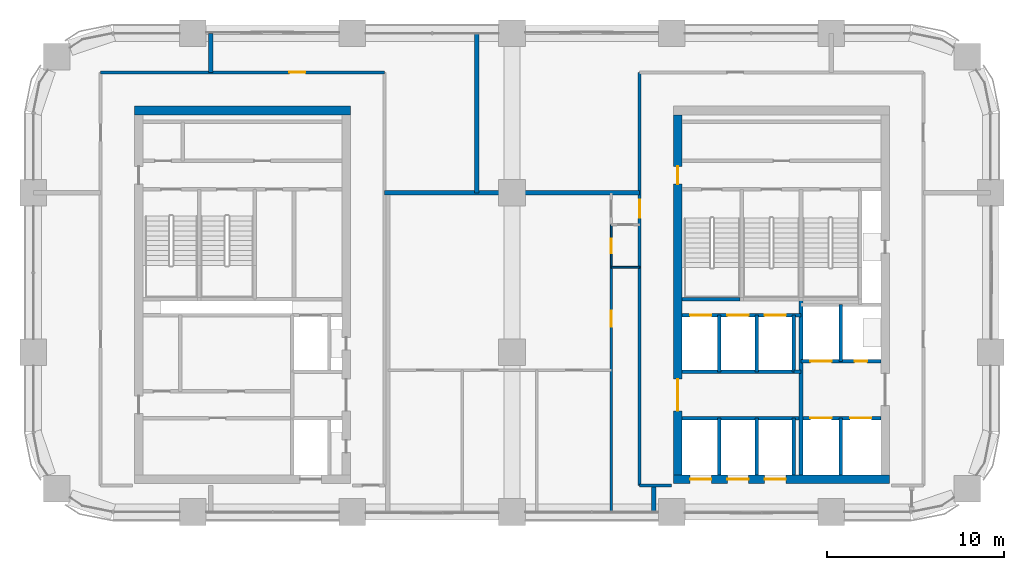
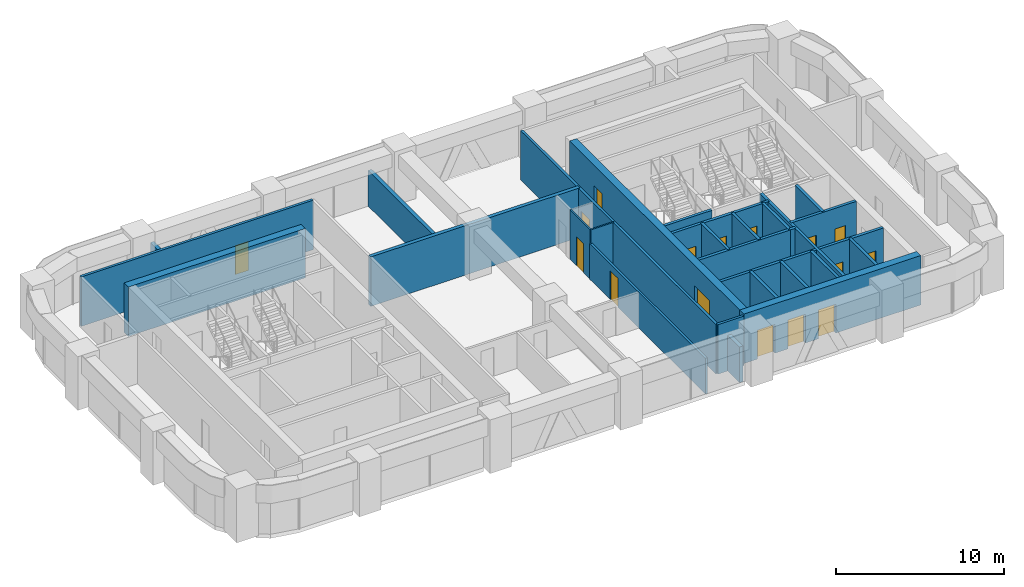
# One storey, part 10 of 19: 28 walls, 16 doors, 16 openings.
"""IFC4 building model written with IfcOpenShell, lengths in metres."""

from ifc_helpers import new_model, si_unit, direction, frame, frame_2d, origin, place, context, subcontext, project, spatial, rectangle, extrude, material, layer, layer_set, type_object, element, fill, save


model = new_model("IFC4")

# Units and contexts
model_context = context("Model", 3, precision=1e-05, world=origin(), true_north=direction((0.0, 1.0)))
body_context = subcontext(model_context, "Body", "Model", "MODEL_VIEW")
ifc_project = project(units=[si_unit("LENGTHUNIT", "METRE"), si_unit("AREAUNIT", "SQUARE_METRE"), si_unit("VOLUMEUNIT", "CUBIC_METRE"), si_unit("PLANEANGLEUNIT", "RADIAN"), si_unit("MASSUNIT", "GRAM", prefix="KILO")], contexts=[model_context])

# Site, building, storey
site_placement = place(None, origin())
site = spatial("IfcSite", under=ifc_project, at=site_placement, CompositionType="ELEMENT")
building_placement = place(site_placement, origin())
building = spatial("IfcBuilding", under=site, at=building_placement, Name="Tessera Arch", CompositionType="ELEMENT")
storey_placement = place(building_placement, frame((0.0, 0.0, 170.0)))
storey = spatial("IfcBuildingStorey", under=building, at=storey_placement, Name="L40", CompositionType="ELEMENT", Elevation=170.0)

# Wall
ifc_material_1 = material(Name="Gypsum board on steel stud", Category="steel")
ifc_layer_1 = layer(ifc_material_1, 0.125)
ifc_layer_set_1 = layer_set([ifc_layer_1], Name="Core partition 125 EI 60")
wall_type_1 = type_object("IfcWallType", Name="Core partition 125 EI 60", PredefinedType="PARTITIONING", material=ifc_layer_set_1)
wall_1_placement = place(storey_placement, frame((42.89990234375, 34.89990234375, 0.0), z_axis=(0.0, 0.0, 1.0), x_axis=(1.0, 0.0, 0.0)))
element("IfcWall", 1, at=wall_1_placement, inside=storey, type_object=wall_type_1, Name="L40 C1 partition wall 18", PredefinedType="PARTITIONING", context=body_context, shape_type="SweptSolid", body=[
    extrude(rectangle(XDim=0.400146484375, YDim=0.199951171875, at=frame_2d((0.2001953125, 0.0))), origin(), (0.0, 0.0, 1.0), 3.60009765625),
])

# Wall, openings, doors
ifc_material_2 = material(Name="Concrete C60/75", Category="concrete")
ifc_layer_2 = layer(ifc_material_2, 0.5)
ifc_layer_set_2 = layer_set([ifc_layer_2], Name="Core shell wall 500 C60-75")
wall_type_2 = type_object("IfcWallType", Name="Core shell wall 500 C60-75", PredefinedType="SHEAR", material=ifc_layer_set_2)
wall_2_placement = place(storey_placement, frame((36.10009765625, 28.85009765625, 0.0), z_axis=(0.0, 0.0, 1.0), x_axis=(1.0, 0.0, 0.0)))
wall_2 = element("IfcWall", 2, at=wall_2_placement, inside=storey, type_object=wall_type_2, Name="L40 C1 core wall S", PredefinedType="SHEAR", context=body_context, shape_type="SweptSolid", body=[
    extrude(rectangle(XDim=12.199951171875, YDim=0.5, at=frame_2d((6.10009765625, 0.0))), origin(), (0.0, 0.0, 1.0), 3.60009765625),
])
opening_1_placement = place(wall_2_placement, frame((0.949951171875, 0.0, 0.0)))
opening_1 = element("IfcOpeningElement", 3, at=opening_1_placement, cuts=wall_2, Name="Opening L40-C01", PredefinedType="OPENING", context=body_context, shape_type="SweptSolid", body=[
    extrude(rectangle(XDim=1.199951171875, YDim=2.10009765625, at=frame_2d((0.60009765625, 1.050048828125))), frame((0.0, 0.260009765625, 0.0), z_axis=(0.0, -1.0, 0.0), x_axis=(1.0, 0.0, 0.0)), (0.0, 0.0, 1.0), 0.52001953125),
])
opening_2_placement = place(wall_2_placement, frame((3.050048828125, 0.0, 0.0)))
opening_2 = element("IfcOpeningElement", 4, at=opening_2_placement, cuts=wall_2, Name="Opening L40-C03", PredefinedType="OPENING", context=body_context, shape_type="SweptSolid", body=[
    extrude(rectangle(XDim=1.199951171875, YDim=2.10009765625, at=frame_2d((0.60009765625, 1.050048828125))), frame((0.0, 0.260009765625, 0.0), z_axis=(0.0, -1.0, 0.0), x_axis=(1.0, 0.0, 0.0)), (0.0, 0.0, 1.0), 0.52001953125),
])
opening_3_placement = place(wall_2_placement, frame((5.14990234375, 0.0, 0.0)))
opening_3 = element("IfcOpeningElement", 5, at=opening_3_placement, cuts=wall_2, Name="Opening L40-C05", PredefinedType="OPENING", context=body_context, shape_type="SweptSolid", body=[
    extrude(rectangle(XDim=1.199951171875, YDim=2.10009765625, at=frame_2d((0.60009765625, 1.050048828125))), frame((0.0, 0.260009765625, 0.0), z_axis=(0.0, -1.0, 0.0), x_axis=(1.0, 0.0, 0.0)), (0.0, 0.0, 1.0), 0.52001953125),
])
ifc_material_3 = material(Name="Stainless steel AISI 304", Category="steel")
door_type_1 = type_object("IfcDoorType", Name="Sliding landing door 1200 x 2100", OperationType="SLIDING_TO_LEFT", PredefinedType="DOOR", material=ifc_material_3)
door_1_placement = place(opening_1_placement, origin())
door_1 = element("IfcDoor", 6, at=door_1_placement, inside=storey, type_object=door_type_1, Name="L40 HR1 lift landing door C01 type LD", OperationType="SLIDING_TO_LEFT", OverallHeight=2.10009765625, OverallWidth=1.199951171875, PredefinedType="DOOR", context=body_context, shape_type="SweptSolid", body=[
    extrude(rectangle(XDim=1.199951171875, YDim=2.10009765625, at=frame_2d((0.60009765625, 1.050048828125))), frame((0.0, 0.02490234375, 0.0), z_axis=(0.0, -1.0, 0.0), x_axis=(1.0, 0.0, 0.0)), (0.0, 0.0, 1.0), 0.050048828125),
])
fill(opening_1, door_1)
door_2_placement = place(opening_2_placement, origin())
door_2 = element("IfcDoor", 7, at=door_2_placement, inside=storey, type_object=door_type_1, Name="L40 HR2 lift landing door C03 type LD", OperationType="SLIDING_TO_LEFT", OverallHeight=2.10009765625, OverallWidth=1.199951171875, PredefinedType="DOOR", context=body_context, shape_type="SweptSolid", body=[
    extrude(rectangle(XDim=1.199951171875, YDim=2.10009765625, at=frame_2d((0.60009765625, 1.050048828125))), frame((0.0, 0.02490234375, 0.0), z_axis=(0.0, -1.0, 0.0), x_axis=(1.0, 0.0, 0.0)), (0.0, 0.0, 1.0), 0.050048828125),
])
fill(opening_2, door_2)
door_3_placement = place(opening_3_placement, origin())
door_3 = element("IfcDoor", 8, at=door_3_placement, inside=storey, type_object=door_type_1, Name="L40 HR3 lift landing door C05 type LD", OperationType="SLIDING_TO_LEFT", OverallHeight=2.10009765625, OverallWidth=1.199951171875, PredefinedType="DOOR", context=body_context, shape_type="SweptSolid", body=[
    extrude(rectangle(XDim=1.199951171875, YDim=2.10009765625, at=frame_2d((0.60009765625, 1.050048828125))), frame((0.0, 0.02490234375, 0.0), z_axis=(0.0, -1.0, 0.0), x_axis=(1.0, 0.0, 0.0)), (0.0, 0.0, 1.0), 0.050048828125),
])
fill(opening_3, door_3)

wall_3_placement = place(storey_placement, frame((36.35009765625, 29.10009765625, 0.0), z_axis=(0.0, 0.0, 1.0), x_axis=(0.0, 1.0, 0.0)))
wall_3 = element("IfcWall", 9, at=wall_3_placement, inside=storey, type_object=wall_type_2, Name="L40 C1 core wall W", PredefinedType="SHEAR", context=body_context, shape_type="SweptSolid", body=[
    extrude(rectangle(XDim=20.2998046875, YDim=0.5, at=frame_2d((10.14990234375, 0.0))), origin(), (0.0, 0.0, 1.0), 3.60009765625),
])
opening_4_placement = place(wall_3_placement, frame((3.60009765625, 0.0, 0.0)))
opening_4 = element("IfcOpeningElement", 10, at=opening_4_placement, cuts=wall_3, Name="Opening L40-C10", PredefinedType="OPENING", context=body_context, shape_type="SweptSolid", body=[
    extrude(rectangle(XDim=1.800048828125, YDim=2.10009765625, at=frame_2d((0.89990234375, 1.050048828125))), frame((0.0, 0.260009765625, 0.0), z_axis=(0.0, -1.0, 0.0), x_axis=(1.0, 0.0, 0.0)), (0.0, 0.0, 1.0), 0.52001953125),
])
opening_5_placement = place(wall_3_placement, frame((16.39990234375, 0.0, 0.0)))
opening_5 = element("IfcOpeningElement", 11, at=opening_5_placement, cuts=wall_3, Name="Opening L40-C17", PredefinedType="OPENING", context=body_context, shape_type="SweptSolid", body=[
    extrude(rectangle(XDim=1.0, YDim=2.10009765625, at=frame_2d((0.5, 1.050048828125))), frame((0.0, 0.260009765625, 0.0), z_axis=(0.0, -1.0, 0.0), x_axis=(1.0, 0.0, 0.0)), (0.0, 0.0, 1.0), 0.52001953125),
])
ifc_material_4 = material(Name="Steel door leaf", Category="steel")
door_type_2 = type_object("IfcDoorType", Name="Corridor door FD60 1000 x 2100", OperationType="SINGLE_SWING_LEFT", PredefinedType="DOOR", material=ifc_material_4)
door_4_placement = place(opening_5_placement, origin())
door_4 = element("IfcDoor", 12, at=door_4_placement, inside=storey, type_object=door_type_2, Name="L40 C1 door 17 C17 type D12", OperationType="SINGLE_SWING_RIGHT", OverallHeight=2.10009765625, OverallWidth=1.0, PredefinedType="DOOR", context=body_context, shape_type="SweptSolid", body=[
    extrude(rectangle(XDim=1.0, YDim=2.10009765625, at=frame_2d((0.5, 1.050048828125))), frame((0.0, 0.02490234375, 0.0), z_axis=(0.0, -1.0, 0.0), x_axis=(1.0, 0.0, 0.0)), (0.0, 0.0, 1.0), 0.050048828125),
])
fill(opening_5, door_4)
ifc_material_5 = material(Name="Glazed steel door leaf", Category="steel")
door_type_3 = type_object("IfcDoorType", Name="Lobby double door FD30S 1800 x 2100", OperationType="DOUBLE_DOOR_SINGLE_SWING", PredefinedType="DOOR", material=ifc_material_5)
door_5_placement = place(opening_4_placement, origin())
door_5 = element("IfcDoor", 13, at=door_5_placement, inside=storey, type_object=door_type_3, Name="L40 C1 door 10 C10 type D06", OperationType="DOUBLE_DOOR_SINGLE_SWING", OverallHeight=2.10009765625, OverallWidth=1.800048828125, PredefinedType="DOOR", context=body_context, shape_type="SweptSolid", body=[
    extrude(rectangle(XDim=1.800048828125, YDim=2.10009765625, at=frame_2d((0.89990234375, 1.050048828125))), frame((0.0, 0.02490234375, 0.0), z_axis=(0.0, -1.0, 0.0), x_axis=(1.0, 0.0, 0.0)), (0.0, 0.0, 1.0), 0.050048828125),
])
fill(opening_4, door_5)

# Walls
wall_4_placement = place(storey_placement, frame((5.699951171875, 49.64990234375, 0.0), z_axis=(0.0, 0.0, 1.0), x_axis=(1.0, 0.0, 0.0)))
element("IfcWall", 14, at=wall_4_placement, inside=storey, type_object=wall_type_2, Name="L40 C2 core wall N", PredefinedType="SHEAR", context=body_context, shape_type="SweptSolid", body=[
    extrude(rectangle(XDim=12.199951171875, YDim=0.5, at=frame_2d((6.10009765625, 0.0))), origin(), (0.0, 0.0, 1.0), 3.60009765625),
])
ifc_material_6 = material(Name="Gypsum board on deep steel stud with mineral wool", Category="steel")
ifc_layer_3 = layer(ifc_material_6, 0.175048828125)
ifc_layer_set_3 = layer_set([ifc_layer_3], Name="Corridor wall 175 EI 60")
wall_type_3 = type_object("IfcWallType", Name="Corridor wall 175 EI 60", PredefinedType="PARTITIONING", material=ifc_layer_set_3)
wall_5_placement = place(storey_placement, frame((34.199951171875, 28.5, 0.0), z_axis=(0.0, 0.0, 1.0), x_axis=(1.0, 0.0, 0.0)))
element("IfcWall", 15, at=wall_5_placement, inside=storey, type_object=wall_type_3, Name="L40 partition 3", PredefinedType="PARTITIONING", context=body_context, shape_type="SweptSolid", body=[
    extrude(rectangle(XDim=1.800048828125, YDim=0.175048828125, at=frame_2d((0.89990234375, 0.0))), origin(), (0.0, 0.0, 1.0), 3.60009765625),
])

# Wall, opening, door
wall_6_placement = place(storey_placement, frame((3.800048828125, 51.800048828125, 0.0), z_axis=(0.0, 0.0, 1.0), x_axis=(1.0, 0.0, 0.0)))
wall_6 = element("IfcWall", 16, at=wall_6_placement, inside=storey, type_object=wall_type_3, Name="L40 partition 5", PredefinedType="PARTITIONING", context=body_context, shape_type="SweptSolid", body=[
    extrude(rectangle(XDim=16.0, YDim=0.175048828125, at=frame_2d((8.0, 0.0))), origin(), (0.0, 0.0, 1.0), 3.60009765625),
])
opening_6_placement = place(wall_6_placement, frame((10.64990234375, 0.0, 0.0)))
opening_6 = element("IfcOpeningElement", 17, at=opening_6_placement, cuts=wall_6, Name="Opening L40-D015", PredefinedType="OPENING", context=body_context, shape_type="SweptSolid", body=[
    extrude(rectangle(XDim=0.89990234375, YDim=2.10009765625, at=frame_2d((0.449951171875, 1.050048828125))), frame((0.0, 0.097412109375, 0.0), z_axis=(0.0, -1.0, 0.0), x_axis=(1.0, 0.0, 0.0)), (0.0, 0.0, 1.0), 0.195068359375),
])
ifc_material_7 = material(Name="Timber door leaf", Category="wood")
door_type_4 = type_object("IfcDoorType", Name="Room door 900 x 2100", OperationType="SINGLE_SWING_LEFT", PredefinedType="DOOR", material=ifc_material_7)
door_6_placement = place(opening_6_placement, origin())
door_6 = element("IfcDoor", 18, at=door_6_placement, inside=storey, type_object=door_type_4, Name="L40 door D015 type D01", OperationType="SINGLE_SWING_LEFT", OverallHeight=2.10009765625, OverallWidth=0.89990234375, PredefinedType="DOOR", context=body_context, shape_type="SweptSolid", body=[
    extrude(rectangle(XDim=0.89990234375, YDim=2.10009765625, at=frame_2d((0.449951171875, 1.050048828125))), frame((0.0, 0.02490234375, 0.0), z_axis=(0.0, -1.0, 0.0), x_axis=(1.0, 0.0, 0.0)), (0.0, 0.0, 1.0), 0.050048828125),
])
fill(opening_6, door_6)

wall_7_placement = place(storey_placement, frame((34.199951171875, 28.5, 0.0), z_axis=(0.0, 0.0, 1.0), x_axis=(0.0, 1.0, 0.0)))
wall_7 = element("IfcWall", 19, at=wall_7_placement, inside=storey, type_object=wall_type_3, Name="L40 partition 9", PredefinedType="PARTITIONING", context=body_context, shape_type="SweptSolid", body=[
    extrude(rectangle(XDim=23.300048828125, YDim=0.175048828125, at=frame_2d((11.64990234375, 0.0))), origin(), (0.0, 0.0, 1.0), 3.60009765625),
])
opening_7_placement = place(wall_7_placement, frame((15.10009765625, 0.0, 0.0)))
opening_7 = element("IfcOpeningElement", 20, at=opening_7_placement, cuts=wall_7, Name="Opening L40-D003", PredefinedType="OPENING", context=body_context, shape_type="SweptSolid", body=[
    extrude(rectangle(XDim=1.0, YDim=2.10009765625, at=frame_2d((0.5, 1.050048828125))), frame((0.0, 0.097412109375, 0.0), z_axis=(0.0, -1.0, 0.0), x_axis=(1.0, 0.0, 0.0)), (0.0, 0.0, 1.0), 0.195068359375),
])
ifc_material_8 = material(Name="Fire-rated door leaf")
door_type_5 = type_object("IfcDoorType", Name="Entrance door FD30S 1000 x 2100", OperationType="SINGLE_SWING_LEFT", PredefinedType="DOOR", material=ifc_material_8)
door_7_placement = place(opening_7_placement, origin())
door_7 = element("IfcDoor", 21, at=door_7_placement, inside=storey, type_object=door_type_5, Name="L40 door D003 type D03", OperationType="SINGLE_SWING_RIGHT", OverallHeight=2.10009765625, OverallWidth=1.0, PredefinedType="DOOR", context=body_context, shape_type="SweptSolid", body=[
    extrude(rectangle(XDim=1.0, YDim=2.10009765625, at=frame_2d((0.5, 1.050048828125))), frame((0.0, 0.02490234375, 0.0), z_axis=(0.0, -1.0, 0.0), x_axis=(1.0, 0.0, 0.0)), (0.0, 0.0, 1.0), 0.050048828125),
])
fill(opening_7, door_7)

ifc_material_9 = material(Name="Gypsum board on steel stud", Category="steel")
ifc_layer_4 = layer(ifc_material_9, 0.14990234375)
ifc_layer_set_4 = layer_set([ifc_layer_4], Name="Partition 150")
wall_type_4 = type_object("IfcWallType", Name="Partition 150", PredefinedType="PARTITIONING", material=ifc_layer_set_4)
wall_8_placement = place(storey_placement, frame((32.60009765625, 27.0, 0.0), z_axis=(0.0, 0.0, 1.0), x_axis=(0.0, 1.0, 0.0)))
wall_8 = element("IfcWall", 22, at=wall_8_placement, inside=storey, type_object=wall_type_4, Name="L40 partition 14", PredefinedType="PARTITIONING", context=body_context, shape_type="SweptSolid", body=[
    extrude(rectangle(XDim=13.800048828125, YDim=0.14990234375, at=frame_2d((6.89990234375, 0.0))), origin(), (0.0, 0.0, 1.0), 2.60009765625),
])
opening_8_placement = place(wall_8_placement, frame((10.449951171875, 0.0, 0.0)))
opening_8 = element("IfcOpeningElement", 23, at=opening_8_placement, cuts=wall_8, Name="Opening L40-D007", PredefinedType="OPENING", context=body_context, shape_type="SweptSolid", body=[
    extrude(rectangle(XDim=0.89990234375, YDim=2.10009765625, at=frame_2d((0.449951171875, 1.050048828125))), frame((0.0, 0.0849609375, 0.0), z_axis=(0.0, -1.0, 0.0), x_axis=(1.0, 0.0, 0.0)), (0.0, 0.0, 1.0), 0.169921875),
])
door_8_placement = place(opening_8_placement, origin())
door_8 = element("IfcDoor", 24, at=door_8_placement, inside=storey, type_object=door_type_4, Name="L40 door D007 type D01", OperationType="SINGLE_SWING_LEFT", OverallHeight=2.10009765625, OverallWidth=0.89990234375, PredefinedType="DOOR", context=body_context, shape_type="SweptSolid", body=[
    extrude(rectangle(XDim=0.89990234375, YDim=2.10009765625, at=frame_2d((0.449951171875, 1.050048828125))), frame((0.0, 0.02490234375, 0.0), z_axis=(0.0, -1.0, 0.0), x_axis=(1.0, 0.0, 0.0)), (0.0, 0.0, 1.0), 0.050048828125),
])
fill(opening_8, door_8)

# Walls
ifc_material_10 = material(Name="Double gypsum board on twin steel stud with acoustic mineral wool", Category="steel")
ifc_layer_5 = layer(ifc_material_10, 0.25)
ifc_layer_set_5 = layer_set([ifc_layer_5], Name="Party wall 250 EI 60")
wall_type_5 = type_object("IfcWallType", Name="Party wall 250 EI 60", PredefinedType="PARTITIONING", material=ifc_layer_set_5)
wall_9_placement = place(storey_placement, frame((19.800048828125, 45.0, 0.0), z_axis=(0.0, 0.0, 1.0), x_axis=(1.0, 0.0, 0.0)))
element("IfcWall", 25, at=wall_9_placement, inside=storey, type_object=wall_type_5, Name="L40 partition 17", PredefinedType="PARTITIONING", context=body_context, shape_type="SweptSolid", body=[
    extrude(rectangle(XDim=14.39990234375, YDim=0.25, at=frame_2d((7.199951171875, 0.0))), origin(), (0.0, 0.0, 1.0), 3.60009765625),
])
wall_10_placement = place(storey_placement, frame((10.0, 51.800048828125, 0.0), z_axis=(0.0, 0.0, 1.0), x_axis=(0.0, 1.0, 0.0)))
element("IfcWall", 26, at=wall_10_placement, inside=storey, type_object=wall_type_5, Name="L40 partition 20", PredefinedType="PARTITIONING", context=body_context, shape_type="SweptSolid", body=[
    extrude(rectangle(XDim=2.199951171875, YDim=0.25, at=frame_2d((1.10009765625, 0.0))), origin(), (0.0, 0.0, 1.0), 2.60009765625),
])
wall_11_placement = place(storey_placement, frame((25.0, 45.0, 0.0), z_axis=(0.0, 0.0, 1.0), x_axis=(0.0, 1.0, 0.0)))
element("IfcWall", 27, at=wall_11_placement, inside=storey, type_object=wall_type_5, Name="L40 partition 22", PredefinedType="PARTITIONING", context=body_context, shape_type="SweptSolid", body=[
    extrude(rectangle(XDim=9.0, YDim=0.25, at=frame_2d((4.5, 0.0))), origin(), (0.0, 0.0, 1.0), 2.60009765625),
])
wall_12_placement = place(storey_placement, frame((35.0, 27.0, 0.0), z_axis=(0.0, 0.0, 1.0), x_axis=(0.0, 1.0, 0.0)))
element("IfcWall", 28, at=wall_12_placement, inside=storey, type_object=wall_type_5, Name="L40 partition 23", PredefinedType="PARTITIONING", context=body_context, shape_type="SweptSolid", body=[
    extrude(rectangle(XDim=1.5, YDim=0.25, at=frame_2d((0.75, 0.0))), origin(), (0.0, 0.0, 1.0), 2.60009765625),
])
ifc_material_11 = material(Name="Concrete C40/50", Category="concrete")
ifc_layer_6 = layer(ifc_material_11, 0.199951171875)
ifc_layer_set_6 = layer_set([ifc_layer_6], Name="Shaft wall 200 EI 120")
wall_type_6 = type_object("IfcWallType", Name="Shaft wall 200 EI 120", PredefinedType="SOLIDWALL", material=ifc_layer_set_6)
wall_13_placement = place(storey_placement, frame((38.699951171875, 29.10009765625, 0.0), z_axis=(0.0, 0.0, 1.0), x_axis=(0.0, 1.0, 0.0)))
element("IfcWall", 29, at=wall_13_placement, inside=storey, type_object=wall_type_6, Name="L40 C1 shaft wall 1", PredefinedType="SOLIDWALL", context=body_context, shape_type="SweptSolid", body=[
    extrude(rectangle(XDim=3.199951171875, YDim=0.199951171875, at=frame_2d((1.60009765625, 0.0))), origin(), (0.0, 0.0, 1.0), 3.60009765625),
])
wall_14_placement = place(storey_placement, frame((38.699951171875, 34.89990234375, 0.0), z_axis=(0.0, 0.0, 1.0), x_axis=(0.0, 1.0, 0.0)))
element("IfcWall", 30, at=wall_14_placement, inside=storey, type_object=wall_type_6, Name="L40 C1 shaft wall 2", PredefinedType="SOLIDWALL", context=body_context, shape_type="SweptSolid", body=[
    extrude(rectangle(XDim=3.2001953125, YDim=0.199951171875, at=frame_2d((1.60009765625, 0.0))), origin(), (0.0, 0.0, 1.0), 3.60009765625),
])
wall_15_placement = place(storey_placement, frame((40.800048828125, 29.10009765625, 0.0), z_axis=(0.0, 0.0, 1.0), x_axis=(0.0, 1.0, 0.0)))
element("IfcWall", 31, at=wall_15_placement, inside=storey, type_object=wall_type_6, Name="L40 C1 shaft wall 5", PredefinedType="SOLIDWALL", context=body_context, shape_type="SweptSolid", body=[
    extrude(rectangle(XDim=3.199951171875, YDim=0.199951171875, at=frame_2d((1.60009765625, 0.0))), origin(), (0.0, 0.0, 1.0), 3.60009765625),
])
wall_16_placement = place(storey_placement, frame((40.800048828125, 34.89990234375, 0.0), z_axis=(0.0, 0.0, 1.0), x_axis=(0.0, 1.0, 0.0)))
element("IfcWall", 32, at=wall_16_placement, inside=storey, type_object=wall_type_6, Name="L40 C1 shaft wall 6", PredefinedType="SOLIDWALL", context=body_context, shape_type="SweptSolid", body=[
    extrude(rectangle(XDim=3.2001953125, YDim=0.199951171875, at=frame_2d((1.60009765625, 0.0))), origin(), (0.0, 0.0, 1.0), 3.60009765625),
])
wall_17_placement = place(storey_placement, frame((42.89990234375, 29.10009765625, 0.0), z_axis=(0.0, 0.0, 1.0), x_axis=(0.0, 1.0, 0.0)))
element("IfcWall", 33, at=wall_17_placement, inside=storey, type_object=wall_type_6, Name="L40 C1 shaft wall 7", PredefinedType="SOLIDWALL", context=body_context, shape_type="SweptSolid", body=[
    extrude(rectangle(XDim=3.199951171875, YDim=0.199951171875, at=frame_2d((1.60009765625, 0.0))), origin(), (0.0, 0.0, 1.0), 3.60009765625),
])
wall_18_placement = place(storey_placement, frame((42.89990234375, 34.89990234375, 0.0), z_axis=(0.0, 0.0, 1.0), x_axis=(0.0, 1.0, 0.0)))
element("IfcWall", 34, at=wall_18_placement, inside=storey, type_object=wall_type_6, Name="L40 C1 shaft wall 8", PredefinedType="SOLIDWALL", context=body_context, shape_type="SweptSolid", body=[
    extrude(rectangle(XDim=3.2001953125, YDim=0.199951171875, at=frame_2d((1.60009765625, 0.0))), origin(), (0.0, 0.0, 1.0), 3.60009765625),
])
wall_19_placement = place(storey_placement, frame((43.300048828125, 29.10009765625, 0.0), z_axis=(0.0, 0.0, 1.0), x_axis=(0.0, 1.0, 0.0)))
element("IfcWall", 35, at=wall_19_placement, inside=storey, type_object=wall_type_6, Name="L40 C1 shaft wall 9", PredefinedType="SOLIDWALL", context=body_context, shape_type="SweptSolid", body=[
    extrude(rectangle(XDim=9.89990234375, YDim=0.199951171875, at=frame_2d((4.949951171875, 0.0))), origin(), (0.0, 0.0, 1.0), 3.60009765625),
])
for number, where, z_axis, x_axis, name in (
    (36, (45.550048828125, 29.10009765625, 0.0), (0.0, 0.0, 1.0), (0.0, 1.0, 0.0), "L40 C1 shaft wall 12"),
    (37, (45.550048828125, 35.5, 0.0), (0.0, 0.0, 1.0), (0.0, 1.0, 0.0), "L40 C1 shaft wall 13"),
):
    element("IfcWall", number, at=place(storey_placement, frame(where, z_axis=z_axis, x_axis=x_axis)), inside=storey, type_object=wall_type_6, Name=name, PredefinedType="SOLIDWALL", context=body_context, shape_type="SweptSolid", body=[
        extrude(rectangle(XDim=3.199951171875, YDim=0.199951171875, at=frame_2d((1.60009765625, 0.0))), origin(), (0.0, 0.0, 1.0), 3.60009765625),
    ])

# Wall, openings, doors
wall_20_placement = place(storey_placement, frame((36.60009765625, 32.300048828125, 0.0), z_axis=(0.0, 0.0, 1.0), x_axis=(1.0, 0.0, 0.0)))
wall_20 = element("IfcWall", 38, at=wall_20_placement, inside=storey, type_object=wall_type_6, Name="L40 C1 shaft wall 17", PredefinedType="SOLIDWALL", context=body_context, shape_type="SweptSolid", body=[
    extrude(rectangle(XDim=11.199951171875, YDim=0.199951171875, at=frame_2d((5.60009765625, 0.0))), origin(), (0.0, 0.0, 1.0), 3.60009765625),
])
opening_9_placement = place(wall_20_placement, frame((7.22509765625, 0.0, 0.0)))
opening_9 = element("IfcOpeningElement", 39, at=opening_9_placement, cuts=wall_20, Name="Opening L40-C07", PredefinedType="OPENING", context=body_context, shape_type="SweptSolid", body=[
    extrude(rectangle(XDim=1.199951171875, YDim=2.10009765625, at=frame_2d((0.60009765625, 1.050048828125))), frame((0.0, 0.10986328125, 0.0), z_axis=(0.0, -1.0, 0.0), x_axis=(1.0, 0.0, 0.0)), (0.0, 0.0, 1.0), 0.219970703125),
])
opening_10_placement = place(wall_20_placement, frame((9.47509765625, 0.0, 0.0)))
opening_10 = element("IfcOpeningElement", 40, at=opening_10_placement, cuts=wall_20, Name="Opening L40-C08", PredefinedType="OPENING", context=body_context, shape_type="SweptSolid", body=[
    extrude(rectangle(XDim=1.199951171875, YDim=2.10009765625, at=frame_2d((0.60009765625, 1.050048828125))), frame((0.0, 0.10986328125, 0.0), z_axis=(0.0, -1.0, 0.0), x_axis=(1.0, 0.0, 0.0)), (0.0, 0.0, 1.0), 0.219970703125),
])
door_9_placement = place(opening_9_placement, origin())
door_9 = element("IfcDoor", 41, at=door_9_placement, inside=storey, type_object=door_type_1, Name="L40 FF1 lift landing door C07 type LD", OperationType="SLIDING_TO_LEFT", OverallHeight=2.10009765625, OverallWidth=1.199951171875, PredefinedType="DOOR", context=body_context, shape_type="SweptSolid", body=[
    extrude(rectangle(XDim=1.199951171875, YDim=2.10009765625, at=frame_2d((0.60009765625, 1.050048828125))), frame((0.0, 0.02490234375, 0.0), z_axis=(0.0, -1.0, 0.0), x_axis=(1.0, 0.0, 0.0)), (0.0, 0.0, 1.0), 0.050048828125),
])
fill(opening_9, door_9)
door_10_placement = place(opening_10_placement, origin())
door_10 = element("IfcDoor", 42, at=door_10_placement, inside=storey, type_object=door_type_1, Name="L40 FF2 lift landing door C08 type LD", OperationType="SLIDING_TO_LEFT", OverallHeight=2.10009765625, OverallWidth=1.199951171875, PredefinedType="DOOR", context=body_context, shape_type="SweptSolid", body=[
    extrude(rectangle(XDim=1.199951171875, YDim=2.10009765625, at=frame_2d((0.60009765625, 1.050048828125))), frame((0.0, 0.02490234375, 0.0), z_axis=(0.0, -1.0, 0.0), x_axis=(1.0, 0.0, 0.0)), (0.0, 0.0, 1.0), 0.050048828125),
])
fill(opening_10, door_10)

# Wall
wall_21_placement = place(storey_placement, frame((36.60009765625, 34.89990234375, 0.0), z_axis=(0.0, 0.0, 1.0), x_axis=(1.0, 0.0, 0.0)))
element("IfcWall", 43, at=wall_21_placement, inside=storey, type_object=wall_type_6, Name="L40 C1 shaft wall 19", PredefinedType="SOLIDWALL", context=body_context, shape_type="SweptSolid", body=[
    extrude(rectangle(XDim=6.2998046875, YDim=0.199951171875, at=frame_2d((3.14990234375, 0.0))), origin(), (0.0, 0.0, 1.0), 3.60009765625),
])

# Wall, openings, doors
wall_22_placement = place(storey_placement, frame((43.300048828125, 35.5, 0.0), z_axis=(0.0, 0.0, 1.0), x_axis=(1.0, 0.0, 0.0)))
wall_22 = element("IfcWall", 44, at=wall_22_placement, inside=storey, type_object=wall_type_6, Name="L40 C1 shaft wall 20", PredefinedType="SOLIDWALL", context=body_context, shape_type="SweptSolid", body=[
    extrude(rectangle(XDim=4.5, YDim=0.199951171875, at=frame_2d((2.25, 0.0))), origin(), (0.0, 0.0, 1.0), 3.60009765625),
])
opening_11_placement = place(wall_22_placement, frame((0.52490234375, 0.0, 0.0)))
opening_11 = element("IfcOpeningElement", 45, at=opening_11_placement, cuts=wall_22, Name="Opening L40-C09", PredefinedType="OPENING", context=body_context, shape_type="SweptSolid", body=[
    extrude(rectangle(XDim=1.199951171875, YDim=2.10009765625, at=frame_2d((0.60009765625, 1.050048828125))), frame((0.0, 0.10986328125, 0.0), z_axis=(0.0, -1.0, 0.0), x_axis=(1.0, 0.0, 0.0)), (0.0, 0.0, 1.0), 0.219970703125),
])
opening_12_placement = place(wall_22_placement, frame((3.02490234375, 0.0, 0.0)))
opening_12 = element("IfcOpeningElement", 46, at=opening_12_placement, cuts=wall_22, Name="Opening L40-C16", PredefinedType="OPENING", context=body_context, shape_type="SweptSolid", body=[
    extrude(rectangle(XDim=0.699951171875, YDim=2.10009765625, at=frame_2d((0.35009765625, 1.050048828125))), frame((0.0, 0.10986328125, 0.0), z_axis=(0.0, -1.0, 0.0), x_axis=(1.0, 0.0, 0.0)), (0.0, 0.0, 1.0), 0.219970703125),
])
ifc_material_12 = material(Name="Steel door leaf", Category="steel")
door_type_6 = type_object("IfcDoorType", Name="Service shaft door FD60 700 x 2100", OperationType="SINGLE_SWING_LEFT", PredefinedType="DOOR", material=ifc_material_12)
door_11_placement = place(opening_12_placement, origin())
door_11 = element("IfcDoor", 47, at=door_11_placement, inside=storey, type_object=door_type_6, Name="L40 C1 door 16 C16 type D07", OperationType="SINGLE_SWING_RIGHT", OverallHeight=2.10009765625, OverallWidth=0.699951171875, PredefinedType="DOOR", context=body_context, shape_type="SweptSolid", body=[
    extrude(rectangle(XDim=0.699951171875, YDim=2.10009765625, at=frame_2d((0.35009765625, 1.050048828125))), frame((0.0, 0.02490234375, 0.0), z_axis=(0.0, -1.0, 0.0), x_axis=(1.0, 0.0, 0.0)), (0.0, 0.0, 1.0), 0.050048828125),
])
fill(opening_12, door_11)
door_12_placement = place(opening_11_placement, origin())
door_12 = element("IfcDoor", 48, at=door_12_placement, inside=storey, type_object=door_type_1, Name="L40 SV2 lift landing door C09 type LD", OperationType="SLIDING_TO_LEFT", OverallHeight=2.10009765625, OverallWidth=1.199951171875, PredefinedType="DOOR", context=body_context, shape_type="SweptSolid", body=[
    extrude(rectangle(XDim=1.199951171875, YDim=2.10009765625, at=frame_2d((0.60009765625, 1.050048828125))), frame((0.0, 0.02490234375, 0.0), z_axis=(0.0, -1.0, 0.0), x_axis=(1.0, 0.0, 0.0)), (0.0, 0.0, 1.0), 0.050048828125),
])
fill(opening_11, door_12)

wall_23_placement = place(storey_placement, frame((36.60009765625, 38.10009765625, 0.0), z_axis=(0.0, 0.0, 1.0), x_axis=(1.0, 0.0, 0.0)))
wall_23 = element("IfcWall", 49, at=wall_23_placement, inside=storey, type_object=wall_type_6, Name="L40 C1 shaft wall 21", PredefinedType="SOLIDWALL", context=body_context, shape_type="SweptSolid", body=[
    extrude(rectangle(XDim=6.699951171875, YDim=0.199951171875, at=frame_2d((3.35009765625, 0.0))), origin(), (0.0, 0.0, 1.0), 3.60009765625),
])
opening_13_placement = place(wall_23_placement, frame((0.449951171875, 0.0, 0.0)))
opening_13 = element("IfcOpeningElement", 50, at=opening_13_placement, cuts=wall_23, Name="Opening L40-C02", PredefinedType="OPENING", context=body_context, shape_type="SweptSolid", body=[
    extrude(rectangle(XDim=1.199951171875, YDim=2.10009765625, at=frame_2d((0.60009765625, 1.050048828125))), frame((0.0, 0.10986328125, 0.0), z_axis=(0.0, -1.0, 0.0), x_axis=(1.0, 0.0, 0.0)), (0.0, 0.0, 1.0), 0.219970703125),
])
opening_14_placement = place(wall_23_placement, frame((2.550048828125, 0.0, 0.0)))
opening_14 = element("IfcOpeningElement", 51, at=opening_14_placement, cuts=wall_23, Name="Opening L40-C04", PredefinedType="OPENING", context=body_context, shape_type="SweptSolid", body=[
    extrude(rectangle(XDim=1.199951171875, YDim=2.10009765625, at=frame_2d((0.60009765625, 1.050048828125))), frame((0.0, 0.10986328125, 0.0), z_axis=(0.0, -1.0, 0.0), x_axis=(1.0, 0.0, 0.0)), (0.0, 0.0, 1.0), 0.219970703125),
])
opening_15_placement = place(wall_23_placement, frame((4.64990234375, 0.0, 0.0)))
opening_15 = element("IfcOpeningElement", 52, at=opening_15_placement, cuts=wall_23, Name="Opening L40-C06", PredefinedType="OPENING", context=body_context, shape_type="SweptSolid", body=[
    extrude(rectangle(XDim=1.199951171875, YDim=2.10009765625, at=frame_2d((0.60009765625, 1.050048828125))), frame((0.0, 0.10986328125, 0.0), z_axis=(0.0, -1.0, 0.0), x_axis=(1.0, 0.0, 0.0)), (0.0, 0.0, 1.0), 0.219970703125),
])
door_13_placement = place(opening_13_placement, origin())
door_13 = element("IfcDoor", 53, at=door_13_placement, inside=storey, type_object=door_type_1, Name="L40 HR4 lift landing door C02 type LD", OperationType="SLIDING_TO_LEFT", OverallHeight=2.10009765625, OverallWidth=1.199951171875, PredefinedType="DOOR", context=body_context, shape_type="SweptSolid", body=[
    extrude(rectangle(XDim=1.199951171875, YDim=2.10009765625, at=frame_2d((0.60009765625, 1.050048828125))), frame((0.0, 0.02490234375, 0.0), z_axis=(0.0, -1.0, 0.0), x_axis=(1.0, 0.0, 0.0)), (0.0, 0.0, 1.0), 0.050048828125),
])
fill(opening_13, door_13)
door_14_placement = place(opening_14_placement, origin())
door_14 = element("IfcDoor", 54, at=door_14_placement, inside=storey, type_object=door_type_1, Name="L40 HR5 lift landing door C04 type LD", OperationType="SLIDING_TO_LEFT", OverallHeight=2.10009765625, OverallWidth=1.199951171875, PredefinedType="DOOR", context=body_context, shape_type="SweptSolid", body=[
    extrude(rectangle(XDim=1.199951171875, YDim=2.10009765625, at=frame_2d((0.60009765625, 1.050048828125))), frame((0.0, 0.02490234375, 0.0), z_axis=(0.0, -1.0, 0.0), x_axis=(1.0, 0.0, 0.0)), (0.0, 0.0, 1.0), 0.050048828125),
])
fill(opening_14, door_14)
door_15_placement = place(opening_15_placement, origin())
door_15 = element("IfcDoor", 55, at=door_15_placement, inside=storey, type_object=door_type_1, Name="L40 HR6 lift landing door C06 type LD", OperationType="SLIDING_TO_LEFT", OverallHeight=2.10009765625, OverallWidth=1.199951171875, PredefinedType="DOOR", context=body_context, shape_type="SweptSolid", body=[
    extrude(rectangle(XDim=1.199951171875, YDim=2.10009765625, at=frame_2d((0.60009765625, 1.050048828125))), frame((0.0, 0.02490234375, 0.0), z_axis=(0.0, -1.0, 0.0), x_axis=(1.0, 0.0, 0.0)), (0.0, 0.0, 1.0), 0.050048828125),
])
fill(opening_15, door_15)

# Walls
ifc_material_13 = material(Name="Concrete C40/50", Category="concrete")
ifc_layer_7 = layer(ifc_material_13, 0.199951171875)
ifc_layer_set_7 = layer_set([ifc_layer_7], Name="Stair well wall 200 REI 180")
wall_type_7 = type_object("IfcWallType", Name="Stair well wall 200 REI 180", PredefinedType="SOLIDWALL", material=ifc_layer_set_7)
wall_24_placement = place(storey_placement, frame((36.60009765625, 39.0, 0.0), z_axis=(0.0, 0.0, 1.0), x_axis=(1.0, 0.0, 0.0)))
element("IfcWall", 56, at=wall_24_placement, inside=storey, type_object=wall_type_7, Name="L40 C1 shaft wall 23", PredefinedType="SOLIDWALL", context=body_context, shape_type="SweptSolid", body=[
    extrude(rectangle(XDim=3.25, YDim=0.199951171875, at=frame_2d((1.625, 0.0))), origin(), (0.0, 0.0, 1.0), 3.60009765625),
])
ifc_material_14 = material(Name="Moisture-resistant board on pre-plumbed steel stud", Category="steel")
ifc_layer_8 = layer(ifc_material_14, 0.10009765625)
ifc_layer_set_8 = layer_set([ifc_layer_8], Name="Wet wall 100")
wall_type_8 = type_object("IfcWallType", Name="Wet wall 100", PredefinedType="PARTITIONING", material=ifc_layer_set_8)
wall_25_placement = place(storey_placement, frame((32.60009765625, 40.800048828125, 0.0), z_axis=(0.0, 0.0, 1.0), x_axis=(1.0, 0.0, 0.0)))
element("IfcWall", 57, at=wall_25_placement, inside=storey, type_object=wall_type_8, Name="L40 partition 26", PredefinedType="PARTITIONING", context=body_context, shape_type="SweptSolid", body=[
    extrude(rectangle(XDim=1.599853515625, YDim=0.10009765625, at=frame_2d((0.7998046875, 0.0))), origin(), (0.0, 0.0, 1.0), 3.60009765625),
])

# Wall, opening, door
wall_26_placement = place(storey_placement, frame((32.60009765625, 40.800048828125, 0.0), z_axis=(0.0, 0.0, 1.0), x_axis=(0.0, 1.0, 0.0)))
wall_26 = element("IfcWall", 58, at=wall_26_placement, inside=storey, type_object=wall_type_8, Name="L40 partition 28", PredefinedType="PARTITIONING", context=body_context, shape_type="SweptSolid", body=[
    extrude(rectangle(XDim=2.39990234375, YDim=0.10009765625, at=frame_2d((1.199951171875, 0.0))), origin(), (0.0, 0.0, 1.0), 3.60009765625),
])
opening_16_placement = place(wall_26_placement, frame((0.800048828125, 0.0, 0.0)))
opening_16 = element("IfcOpeningElement", 59, at=opening_16_placement, cuts=wall_26, Name="Opening L40-D006", PredefinedType="OPENING", context=body_context, shape_type="SweptSolid", body=[
    extrude(rectangle(XDim=0.800048828125, YDim=2.10009765625, at=frame_2d((0.39990234375, 1.050048828125))), frame((0.0, 0.06005859375, 0.0), z_axis=(0.0, -1.0, 0.0), x_axis=(1.0, 0.0, 0.0)), (0.0, 0.0, 1.0), 0.1201171875),
])
ifc_material_15 = material(Name="Timber door leaf", Category="wood")
door_type_7 = type_object("IfcDoorType", Name="En-suite door 800 x 2100", OperationType="SINGLE_SWING_LEFT", PredefinedType="DOOR", material=ifc_material_15)
door_16_placement = place(opening_16_placement, origin())
door_16 = element("IfcDoor", 60, at=door_16_placement, inside=storey, type_object=door_type_7, Name="L40 door D006 type D02", OperationType="SINGLE_SWING_RIGHT", OverallHeight=2.10009765625, OverallWidth=0.800048828125, PredefinedType="DOOR", context=body_context, shape_type="SweptSolid", body=[
    extrude(rectangle(XDim=0.800048828125, YDim=2.10009765625, at=frame_2d((0.39990234375, 1.050048828125))), frame((0.0, 0.02490234375, 0.0), z_axis=(0.0, -1.0, 0.0), x_axis=(1.0, 0.0, 0.0)), (0.0, 0.0, 1.0), 0.050048828125),
])
fill(opening_16, door_16)

save(model, "model.ifc")
